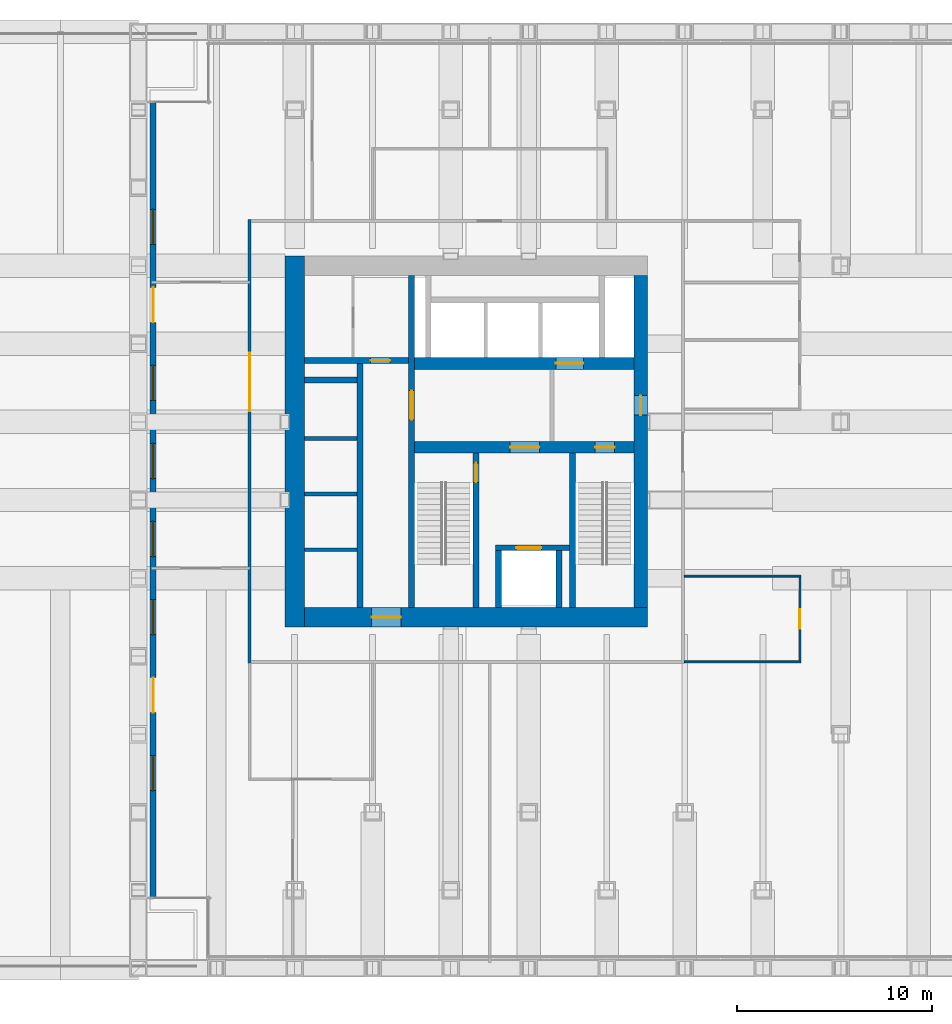
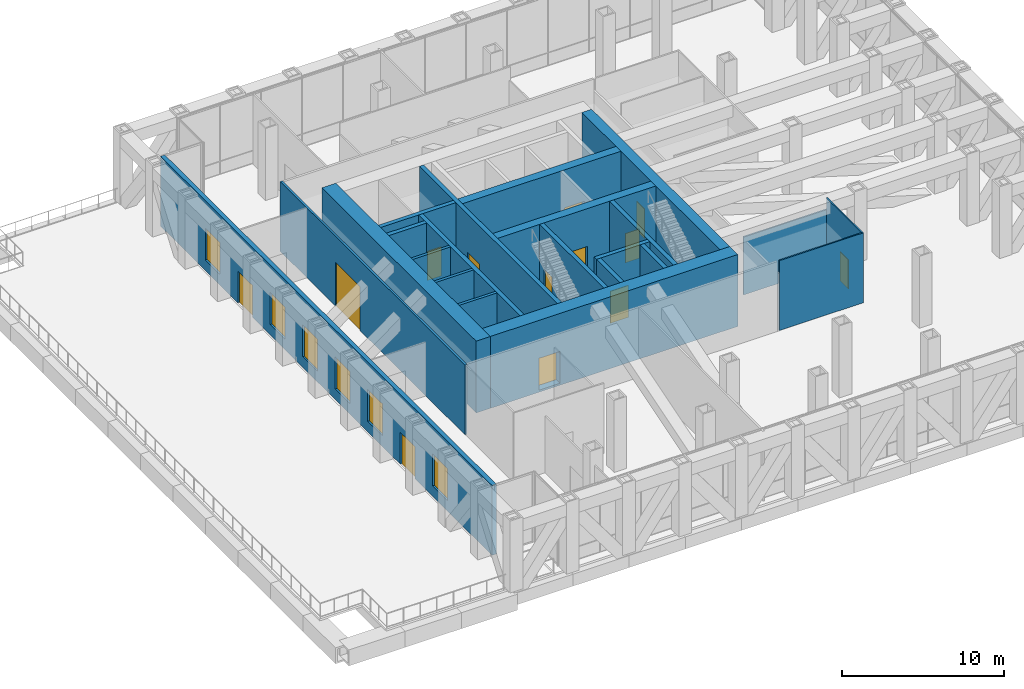
# One storey, part 12 of 14: 22 walls, 13 doors, 6 windows, 19 openings.
"""IFC4 building model written with IfcOpenShell, lengths in metres."""

from ifc_helpers import new_model, si_unit, direction, frame, frame_2d, origin, place, context, subcontext, project, spatial, rectangle, extrude, material, layer, layer_set, type_object, element, fill, save


model = new_model("IFC4")

# Units and contexts
model_context = context("Model", 3, precision=1e-05, world=origin(), true_north=direction((0.0, 1.0)))
body_context = subcontext(model_context, "Body", "Model", "MODEL_VIEW")
ifc_project = project(units=[si_unit("LENGTHUNIT", "METRE"), si_unit("AREAUNIT", "SQUARE_METRE"), si_unit("VOLUMEUNIT", "CUBIC_METRE"), si_unit("PLANEANGLEUNIT", "RADIAN"), si_unit("MASSUNIT", "GRAM", prefix="KILO")], contexts=[model_context])

# Site, building, storey
site_placement = place(None, origin())
site = spatial("IfcSite", under=ifc_project, at=site_placement, CompositionType="ELEMENT")
building_placement = place(site_placement, origin())
building = spatial("IfcBuilding", under=site, at=building_placement, Name="Rimbunsela Tower", CompositionType="ELEMENT")
storey_placement = place(building_placement, frame((0.0, 0.0, 71.0)))
storey = spatial("IfcBuildingStorey", under=building, at=storey_placement, Name="L17", CompositionType="ELEMENT", Elevation=71.0)

# Wall, opening, door
ifc_material_1 = material(Name="Concrete fc' 80 MPa", Category="concrete")
ifc_layer_1 = layer(ifc_material_1, 0.300048828125)
ifc_layer_set_1 = layer_set([ifc_layer_1], Name="Core internal wall 300")
wall_type_1 = type_object("IfcWallType", Name="Core internal wall 300", PredefinedType="SHEAR", material=ifc_layer_set_1)
wall_1_placement = place(storey_placement, frame((24.0, 18.5, -0.14990234375), z_axis=(0.0, 0.0, 1.0), x_axis=(0.0, 1.0, 0.0)))
wall_1 = element("IfcWall", 1, at=wall_1_placement, inside=storey, type_object=wall_type_1, Name="Core wall at stair A", PredefinedType="SHEAR", context=body_context, shape_type="SweptSolid", body=[
    extrude(rectangle(XDim=17.0, YDim=0.300048828125, at=frame_2d((8.5, 0.0))), origin(), (0.0, 0.0, 1.0), 5.39990234375),
])
opening_1_placement = place(wall_1_placement, frame((9.60009765625, 0.0, 0.14990234375)))
opening_1 = element("IfcOpeningElement", 2, at=opening_1_placement, cuts=wall_1, Name="Opening D03", PredefinedType="OPENING", context=body_context, shape_type="SweptSolid", body=[
    extrude(rectangle(XDim=1.5, YDim=2.39990234375, at=frame_2d((0.75, 1.199951171875))), frame((0.0, 0.159912109375, 0.0), z_axis=(0.0, -1.0, 0.0), x_axis=(1.0, 0.0, 0.0)), (0.0, 0.0, 1.0), 0.320068359375),
])
ifc_material_2 = material(Name="Steel door, fire rated", Category="steel")
door_type_1 = type_object("IfcDoorType", Name="Core lobby door 1500", OperationType="DOUBLE_DOOR_DOUBLE_SWING", PredefinedType="DOOR", material=ifc_material_2)
door_1_placement = place(opening_1_placement, origin())
door_1 = element("IfcDoor", 3, at=door_1_placement, inside=storey, type_object=door_type_1, Name="West lobby door", OperationType="DOUBLE_DOOR_DOUBLE_SWING", OverallHeight=2.39990234375, OverallWidth=1.5, PredefinedType="DOOR", context=body_context, shape_type="SweptSolid", body=[
    extrude(rectangle(XDim=1.5, YDim=2.39990234375, at=frame_2d((0.75, 1.199951171875))), frame((0.0, 0.02490234375, 0.0), z_axis=(0.0, -1.0, 0.0), x_axis=(1.0, 0.0, 0.0)), (0.0, 0.0, 1.0), 0.050048828125),
])
fill(opening_1, door_1)

wall_2_placement = place(storey_placement, frame((27.300048828125, 18.5, -0.14990234375), z_axis=(0.0, 0.0, 1.0), x_axis=(0.0, 1.0, 0.0)))
wall_2 = element("IfcWall", 4, at=wall_2_placement, inside=storey, type_object=wall_type_1, Name="Stair A enclosure", PredefinedType="SHEAR", context=body_context, shape_type="SweptSolid", body=[
    extrude(rectangle(XDim=7.89990234375, YDim=0.300048828125, at=frame_2d((3.949951171875, 0.0))), origin(), (0.0, 0.0, 1.0), 5.39990234375),
])
opening_2_placement = place(wall_2_placement, frame((6.39990234375, 0.0, 0.14990234375)))
opening_2 = element("IfcOpeningElement", 5, at=opening_2_placement, cuts=wall_2, Name="Opening D01", PredefinedType="OPENING", context=body_context, shape_type="SweptSolid", body=[
    extrude(rectangle(XDim=1.0, YDim=2.199951171875, at=frame_2d((0.5, 1.10009765625))), frame((0.0, 0.159912109375, 0.0), z_axis=(0.0, -1.0, 0.0), x_axis=(1.0, 0.0, 0.0)), (0.0, 0.0, 1.0), 0.320068359375),
])
ifc_material_3 = material(Name="Steel door, fire rated", Category="steel")
door_type_2 = type_object("IfcDoorType", Name="Stair door 1000", OperationType="SINGLE_SWING_RIGHT", PredefinedType="DOOR", material=ifc_material_3)
door_2_placement = place(opening_2_placement, origin())
door_2 = element("IfcDoor", 6, at=door_2_placement, inside=storey, type_object=door_type_2, Name="Stair A door", OperationType="SINGLE_SWING_RIGHT", OverallHeight=2.199951171875, OverallWidth=1.0, PredefinedType="DOOR", context=body_context, shape_type="SweptSolid", body=[
    extrude(rectangle(XDim=1.0, YDim=2.199951171875, at=frame_2d((0.5, 1.10009765625))), frame((0.0, 0.02490234375, 0.0), z_axis=(0.0, -1.0, 0.0), x_axis=(1.0, 0.0, 0.0)), (0.0, 0.0, 1.0), 0.050048828125),
])
fill(opening_2, door_2)

# Walls
wall_3_placement = place(storey_placement, frame((32.25, 18.5, -0.14990234375), z_axis=(0.0, 0.0, 1.0), x_axis=(0.0, 1.0, 0.0)))
element("IfcWall", 7, at=wall_3_placement, inside=storey, type_object=wall_type_1, Name="Stair B enclosure", PredefinedType="SHEAR", context=body_context, shape_type="SweptSolid", body=[
    extrude(rectangle(XDim=7.89990234375, YDim=0.300048828125, at=frame_2d((3.949951171875, 0.0))), origin(), (0.0, 0.0, 1.0), 5.39990234375),
])
for number, where, z_axis, x_axis, name in (
    (8, (28.449951171875, 18.5, -0.14990234375), (0.0, 0.0, 1.0), (0.0, 1.0, 0.0), "Firefighting lift shaft west"),
    (9, (31.550048828125, 18.5, -0.14990234375), (0.0, 0.0, 1.0), (0.0, 1.0, 0.0), "Firefighting lift shaft east"),
):
    element("IfcWall", number, at=place(storey_placement, frame(where, z_axis=z_axis, x_axis=x_axis)), inside=storey, type_object=wall_type_1, Name=name, PredefinedType="SHEAR", context=body_context, shape_type="SweptSolid", body=[
        extrude(rectangle(XDim=2.89990234375, YDim=0.300048828125, at=frame_2d((1.449951171875, 0.0))), origin(), (0.0, 0.0, 1.0), 5.39990234375),
    ])

# Wall, opening, door
wall_4_placement = place(storey_placement, frame((28.300048828125, 21.550048828125, -0.14990234375), z_axis=(0.0, 0.0, 1.0), x_axis=(1.0, 0.0, 0.0)))
wall_4 = element("IfcWall", 10, at=wall_4_placement, inside=storey, type_object=wall_type_1, Name="Firefighting lift shaft front", PredefinedType="SHEAR", context=body_context, shape_type="SweptSolid", body=[
    extrude(rectangle(XDim=3.800048828125, YDim=0.300048828125, at=frame_2d((1.89990234375, 0.0))), origin(), (0.0, 0.0, 1.0), 5.39990234375),
])
opening_3_placement = place(wall_4_placement, frame((1.050048828125, 0.0, 0.14990234375)))
opening_3 = element("IfcOpeningElement", 11, at=opening_3_placement, cuts=wall_4, Name="Opening LD2", PredefinedType="OPENING", context=body_context, shape_type="SweptSolid", body=[
    extrude(rectangle(XDim=1.300048828125, YDim=2.39990234375, at=frame_2d((0.64990234375, 1.199951171875))), frame((0.0, 0.159912109375, 0.0), z_axis=(0.0, -1.0, 0.0), x_axis=(1.0, 0.0, 0.0)), (0.0, 0.0, 1.0), 0.320068359375),
])
ifc_material_4 = material(Name="Steel door, fire rated", Category="steel")
door_type_3 = type_object("IfcDoorType", Name="Lift landing door 1300", OperationType="DOUBLE_DOOR_SLIDING", PredefinedType="DOOR", material=ifc_material_4)
door_3_placement = place(opening_3_placement, origin())
door_3 = element("IfcDoor", 12, at=door_3_placement, inside=storey, type_object=door_type_3, Name="Lift landing door FL1", OperationType="DOUBLE_DOOR_SLIDING", OverallHeight=2.39990234375, OverallWidth=1.300048828125, PredefinedType="DOOR", context=body_context, shape_type="SweptSolid", body=[
    extrude(rectangle(XDim=1.300048828125, YDim=2.39990234375, at=frame_2d((0.64990234375, 1.199951171875))), frame((0.0, 0.02490234375, 0.0), z_axis=(0.0, -1.0, 0.0), x_axis=(1.0, 0.0, 0.0)), (0.0, 0.0, 1.0), 0.050048828125),
])
fill(opening_3, door_3)

# Wall
wall_5_placement = place(storey_placement, frame((21.35009765625, 18.5, -0.14990234375), z_axis=(0.0, 0.0, 1.0), x_axis=(0.0, 1.0, 0.0)))
element("IfcWall", 13, at=wall_5_placement, inside=storey, type_object=wall_type_1, Name="Lift shaft front west", PredefinedType="SHEAR", context=body_context, shape_type="SweptSolid", body=[
    extrude(rectangle(XDim=12.5, YDim=0.300048828125, at=frame_2d((6.25, 0.0))), origin(), (0.0, 0.0, 1.0), 5.39990234375),
])

# Wall, opening, door
wall_6_placement = place(storey_placement, frame((18.5, 31.14990234375, -0.14990234375), z_axis=(0.0, 0.0, 1.0), x_axis=(1.0, 0.0, 0.0)))
wall_6 = element("IfcWall", 14, at=wall_6_placement, inside=storey, type_object=wall_type_1, Name="Store wall", PredefinedType="SHEAR", context=body_context, shape_type="SweptSolid", body=[
    extrude(rectangle(XDim=5.35009765625, YDim=0.300048828125, at=frame_2d((2.675048828125, 0.0))), origin(), (0.0, 0.0, 1.0), 5.39990234375),
])
opening_4_placement = place(wall_6_placement, frame((3.39990234375, 0.0, 0.14990234375)))
opening_4 = element("IfcOpeningElement", 15, at=opening_4_placement, cuts=wall_6, Name="Opening D19", PredefinedType="OPENING", context=body_context, shape_type="SweptSolid", body=[
    extrude(rectangle(XDim=1.0, YDim=2.199951171875, at=frame_2d((0.5, 1.10009765625))), frame((0.0, 0.159912109375, 0.0), z_axis=(0.0, -1.0, 0.0), x_axis=(1.0, 0.0, 0.0)), (0.0, 0.0, 1.0), 0.320068359375),
])
ifc_material_5 = material(Name="Steel door, fire rated", Category="steel")
door_type_4 = type_object("IfcDoorType", Name="Service door 1000 fire rated", OperationType="SINGLE_SWING_LEFT", PredefinedType="DOOR", material=ifc_material_5)
door_4_placement = place(opening_4_placement, origin())
door_4 = element("IfcDoor", 16, at=door_4_placement, inside=storey, type_object=door_type_4, Name="IT room door", OperationType="SINGLE_SWING_LEFT", OverallHeight=2.199951171875, OverallWidth=1.0, PredefinedType="DOOR", context=body_context, shape_type="SweptSolid", body=[
    extrude(rectangle(XDim=1.0, YDim=2.199951171875, at=frame_2d((0.5, 1.10009765625))), frame((0.0, 0.02490234375, 0.0), z_axis=(0.0, -1.0, 0.0), x_axis=(1.0, 0.0, 0.0)), (0.0, 0.0, 1.0), 0.050048828125),
])
fill(opening_4, door_4)

# Wall
wall_7_placement = place(storey_placement, frame((18.5, 30.14990234375, -0.14990234375), z_axis=(0.0, 0.0, 1.0), x_axis=(1.0, 0.0, 0.0)))
element("IfcWall", 17, at=wall_7_placement, inside=storey, type_object=wall_type_1, Name="Lift shaft rear west", PredefinedType="SHEAR", context=body_context, shape_type="SweptSolid", body=[
    extrude(rectangle(XDim=2.699951171875, YDim=0.300048828125, at=frame_2d((1.35009765625, 0.0))), origin(), (0.0, 0.0, 1.0), 5.39990234375),
])

# Wall, openings, doors
ifc_material_6 = material(Name="Concrete fc' 80 MPa", Category="concrete")
ifc_layer_2 = layer(ifc_material_6, 0.60009765625)
ifc_layer_set_2 = layer_set([ifc_layer_2], Name="Core internal wall 600")
wall_type_2 = type_object("IfcWallType", Name="Core internal wall 600", PredefinedType="SHEAR", material=ifc_layer_set_2)
wall_8_placement = place(storey_placement, frame((24.14990234375, 26.699951171875, -0.14990234375), z_axis=(0.0, 0.0, 1.0), x_axis=(1.0, 0.0, 0.0)))
wall_8 = element("IfcWall", 18, at=wall_8_placement, inside=storey, type_object=wall_type_2, Name="Core wall lobby south", PredefinedType="SHEAR", context=body_context, shape_type="SweptSolid", body=[
    extrude(rectangle(XDim=11.25, YDim=0.60009765625, at=frame_2d((5.625, 0.0))), origin(), (0.0, 0.0, 1.0), 5.39990234375),
])
opening_5_placement = place(wall_8_placement, frame((9.25, 0.0, 0.14990234375)))
opening_5 = element("IfcOpeningElement", 19, at=opening_5_placement, cuts=wall_8, Name="Opening D01", PredefinedType="OPENING", context=body_context, shape_type="SweptSolid", body=[
    extrude(rectangle(XDim=1.0, YDim=2.199951171875, at=frame_2d((0.5, 1.10009765625))), frame((0.0, 0.31005859375, 0.0), z_axis=(0.0, -1.0, 0.0), x_axis=(1.0, 0.0, 0.0)), (0.0, 0.0, 1.0), 0.6201171875),
])
opening_6_placement = place(wall_8_placement, frame((4.89990234375, 0.0, 0.14990234375)))
opening_6 = element("IfcOpeningElement", 20, at=opening_6_placement, cuts=wall_8, Name="Opening D03", PredefinedType="OPENING", context=body_context, shape_type="SweptSolid", body=[
    extrude(rectangle(XDim=1.5, YDim=2.39990234375, at=frame_2d((0.75, 1.199951171875))), frame((0.0, 0.31005859375, 0.0), z_axis=(0.0, -1.0, 0.0), x_axis=(1.0, 0.0, 0.0)), (0.0, 0.0, 1.0), 0.6201171875),
])
door_5_placement = place(opening_6_placement, origin())
door_5 = element("IfcDoor", 21, at=door_5_placement, inside=storey, type_object=door_type_1, Name="Firefighting lobby door", OperationType="DOUBLE_DOOR_DOUBLE_SWING", OverallHeight=2.39990234375, OverallWidth=1.5, PredefinedType="DOOR", context=body_context, shape_type="SweptSolid", body=[
    extrude(rectangle(XDim=1.5, YDim=2.39990234375, at=frame_2d((0.75, 1.199951171875))), frame((0.0, 0.02490234375, 0.0), z_axis=(0.0, -1.0, 0.0), x_axis=(1.0, 0.0, 0.0)), (0.0, 0.0, 1.0), 0.050048828125),
])
fill(opening_6, door_5)
door_6_placement = place(opening_5_placement, frame((1.0, 0.0, 0.0), z_axis=(0.0, 0.0, 1.0), x_axis=(-1.0, 0.0, 0.0)))
door_6 = element("IfcDoor", 22, at=door_6_placement, inside=storey, type_object=door_type_2, Name="Stair B door", OperationType="SINGLE_SWING_RIGHT", OverallHeight=2.199951171875, OverallWidth=1.0, PredefinedType="DOOR", context=body_context, shape_type="SweptSolid", body=[
    extrude(rectangle(XDim=1.0, YDim=2.199951171875, at=frame_2d((0.5, 1.10009765625))), frame((0.0, 0.02490234375, 0.0), z_axis=(0.0, -1.0, 0.0), x_axis=(1.0, 0.0, 0.0)), (0.0, 0.0, 1.0), 0.050048828125),
])
fill(opening_5, door_6)

# Wall, opening, door
wall_9_placement = place(storey_placement, frame((24.14990234375, 31.0, -0.14990234375), z_axis=(0.0, 0.0, 1.0), x_axis=(1.0, 0.0, 0.0)))
wall_9 = element("IfcWall", 23, at=wall_9_placement, inside=storey, type_object=wall_type_2, Name="Lift shaft front north", PredefinedType="SHEAR", context=body_context, shape_type="SweptSolid", body=[
    extrude(rectangle(XDim=11.25, YDim=0.60009765625, at=frame_2d((5.625, 0.0))), origin(), (0.0, 0.0, 1.0), 5.39990234375),
])
opening_7_placement = place(wall_9_placement, frame((7.25, 0.0, 0.14990234375)))
opening_7 = element("IfcOpeningElement", 24, at=opening_7_placement, cuts=wall_9, Name="Opening LD3", PredefinedType="OPENING", context=body_context, shape_type="SweptSolid", body=[
    extrude(rectangle(XDim=1.39990234375, YDim=2.39990234375, at=frame_2d((0.699951171875, 1.199951171875))), frame((0.0, 0.31005859375, 0.0), z_axis=(0.0, -1.0, 0.0), x_axis=(1.0, 0.0, 0.0)), (0.0, 0.0, 1.0), 0.6201171875),
])
ifc_material_7 = material(Name="Steel door, fire rated", Category="steel")
door_type_5 = type_object("IfcDoorType", Name="Lift landing door 1400", OperationType="DOUBLE_DOOR_SLIDING", PredefinedType="DOOR", material=ifc_material_7)
door_7_placement = place(opening_7_placement, origin())
door_7 = element("IfcDoor", 25, at=door_7_placement, inside=storey, type_object=door_type_5, Name="Lift landing door FL2", OperationType="DOUBLE_DOOR_SLIDING", OverallHeight=2.39990234375, OverallWidth=1.39990234375, PredefinedType="DOOR", context=body_context, shape_type="SweptSolid", body=[
    extrude(rectangle(XDim=1.39990234375, YDim=2.39990234375, at=frame_2d((0.699951171875, 1.199951171875))), frame((0.0, 0.02490234375, 0.0), z_axis=(0.0, -1.0, 0.0), x_axis=(1.0, 0.0, 0.0)), (0.0, 0.0, 1.0), 0.050048828125),
])
fill(opening_7, door_7)

# Wall
ifc_material_8 = material(Name="Concrete fc' 80 MPa", Category="concrete")
ifc_layer_3 = layer(ifc_material_8, 1.0)
ifc_layer_set_3 = layer_set([ifc_layer_3], Name="Core wall 1000")
wall_type_3 = type_object("IfcWallType", Name="Core wall 1000", PredefinedType="SHEAR", material=ifc_layer_set_3)
wall_10_placement = place(storey_placement, frame((18.0, 17.5, -0.14990234375), z_axis=(0.0, 0.0, 1.0), x_axis=(0.0, 1.0, 0.0)))
element("IfcWall", 26, at=wall_10_placement, inside=storey, type_object=wall_type_3, Name="Core wall west", PredefinedType="SHEAR", context=body_context, shape_type="SweptSolid", body=[
    extrude(rectangle(XDim=19.0, YDim=1.0, at=frame_2d((9.5, 0.0))), origin(), (0.0, 0.0, 1.0), 5.39990234375),
])

# Wall, opening, door
wall_11_placement = place(storey_placement, frame((18.5, 18.0, -0.14990234375), z_axis=(0.0, 0.0, 1.0), x_axis=(1.0, 0.0, 0.0)))
wall_11 = element("IfcWall", 27, at=wall_11_placement, inside=storey, type_object=wall_type_3, Name="Core wall south", PredefinedType="SHEAR", context=body_context, shape_type="SweptSolid", body=[
    extrude(rectangle(XDim=17.60009765625, YDim=1.0, at=frame_2d((8.800048828125, 0.0))), origin(), (0.0, 0.0, 1.0), 5.39990234375),
])
opening_8_placement = place(wall_11_placement, frame((3.449951171875, 0.0, 0.14990234375)))
opening_8 = element("IfcOpeningElement", 28, at=opening_8_placement, cuts=wall_11, Name="Opening D03", PredefinedType="OPENING", context=body_context, shape_type="SweptSolid", body=[
    extrude(rectangle(XDim=1.5, YDim=2.39990234375, at=frame_2d((0.75, 1.199951171875))), frame((0.0, 0.510009765625, 0.0), z_axis=(0.0, -1.0, 0.0), x_axis=(1.0, 0.0, 0.0)), (0.0, 0.0, 1.0), 1.02001953125),
])
door_8_placement = place(opening_8_placement, origin())
door_8 = element("IfcDoor", 29, at=door_8_placement, inside=storey, type_object=door_type_1, Name="Core door south", OperationType="DOUBLE_DOOR_DOUBLE_SWING", OverallHeight=2.39990234375, OverallWidth=1.5, PredefinedType="DOOR", context=body_context, shape_type="SweptSolid", body=[
    extrude(rectangle(XDim=1.5, YDim=2.39990234375, at=frame_2d((0.75, 1.199951171875))), frame((0.0, 0.02490234375, 0.0), z_axis=(0.0, -1.0, 0.0), x_axis=(1.0, 0.0, 0.0)), (0.0, 0.0, 1.0), 0.050048828125),
])
fill(opening_8, door_8)

ifc_material_9 = material(Name="Concrete fc' 80 MPa", Category="concrete")
ifc_layer_4 = layer(ifc_material_9, 0.699951171875)
ifc_layer_set_4 = layer_set([ifc_layer_4], Name="Core wall 700 east")
wall_type_4 = type_object("IfcWallType", Name="Core wall 700 east", PredefinedType="SHEAR", material=ifc_layer_set_4)
wall_12_placement = place(storey_placement, frame((35.75, 18.5, -0.14990234375), z_axis=(0.0, 0.0, 1.0), x_axis=(0.0, 1.0, 0.0)))
wall_12 = element("IfcWall", 30, at=wall_12_placement, inside=storey, type_object=wall_type_4, Name="Core wall east", PredefinedType="SHEAR", context=body_context, shape_type="SweptSolid", body=[
    extrude(rectangle(XDim=17.0, YDim=0.699951171875, at=frame_2d((8.5, 0.0))), origin(), (0.0, 0.0, 1.0), 5.39990234375),
])
opening_9_placement = place(wall_12_placement, frame((9.85009765625, 0.0, 0.14990234375)))
opening_9 = element("IfcOpeningElement", 31, at=opening_9_placement, cuts=wall_12, Name="Opening D01", PredefinedType="OPENING", context=body_context, shape_type="SweptSolid", body=[
    extrude(rectangle(XDim=1.0, YDim=2.199951171875, at=frame_2d((0.5, 1.10009765625))), frame((0.0, 0.35986328125, 0.0), z_axis=(0.0, -1.0, 0.0), x_axis=(1.0, 0.0, 0.0)), (0.0, 0.0, 1.0), 0.719970703125),
])
door_9_placement = place(opening_9_placement, origin())
door_9 = element("IfcDoor", 32, at=door_9_placement, inside=storey, type_object=door_type_2, Name="Firefighting lobby 2 door", OperationType="SINGLE_SWING_RIGHT", OverallHeight=2.199951171875, OverallWidth=1.0, PredefinedType="DOOR", context=body_context, shape_type="SweptSolid", body=[
    extrude(rectangle(XDim=1.0, YDim=2.199951171875, at=frame_2d((0.5, 1.10009765625))), frame((0.0, 0.02490234375, 0.0), z_axis=(0.0, -1.0, 0.0), x_axis=(1.0, 0.0, 0.0)), (0.0, 0.0, 1.0), 0.050048828125),
])
fill(opening_9, door_9)

# Walls
ifc_material_10 = material(Name="Concrete blockwork", Category="masonry")
ifc_layer_5 = layer(ifc_material_10, 0.199951171875)
ifc_layer_set_5 = layer_set([ifc_layer_5], Name="Lift shaft wall 200")
wall_type_5 = type_object("IfcWallType", Name="Lift shaft wall 200", PredefinedType="SOLIDWALL", material=ifc_layer_set_5)
for number, where, z_axis, x_axis, name in (
    (33, (18.5, 21.449951171875, 0.0), (0.0, 0.0, 1.0), (1.0, 0.0, 0.0), "Lift shaft separation"),
    (34, (18.5, 24.300048828125, 0.0), (0.0, 0.0, 1.0), (1.0, 0.0, 0.0), "Lift shaft separation"),
    (35, (18.5, 27.14990234375, 0.0), (0.0, 0.0, 1.0), (1.0, 0.0, 0.0), "Lift shaft separation"),
):
    element("IfcWall", number, at=place(storey_placement, frame(where, z_axis=z_axis, x_axis=x_axis)), inside=storey, type_object=wall_type_5, Name=name, PredefinedType="SOLIDWALL", context=body_context, shape_type="SweptSolid", body=[
        extrude(rectangle(XDim=2.699951171875, YDim=0.199951171875, at=frame_2d((1.35009765625, 0.0))), origin(), (0.0, 0.0, 1.0), 5.25),
    ])
ifc_material_11 = material(Name="Gypsum board on steel studs", Category="steel")
ifc_layer_6 = layer(ifc_material_11, 0.10009765625)
ifc_layer_set_6 = layer_set([ifc_layer_6], Name="Office partition 100")
wall_type_6 = type_object("IfcWallType", Name="Office partition 100", PredefinedType="PARTITIONING", material=ifc_layer_set_6)
wall_13_placement = place(storey_placement, frame((37.97509765625, 15.699951171875, 0.0), z_axis=(0.0, 0.0, 1.0), x_axis=(1.0, 0.0, 0.0)))
element("IfcWall", 36, at=wall_13_placement, inside=storey, type_object=wall_type_6, Name="Office partition", PredefinedType="PARTITIONING", context=body_context, shape_type="SweptSolid", body=[
    extrude(rectangle(XDim=5.974853515625, YDim=0.10009765625, at=frame_2d((2.9873046875, 0.0))), origin(), (0.0, 0.0, 1.0), 5.25),
])
wall_14_placement = place(storey_placement, frame((37.97509765625, 20.10009765625, 0.0), z_axis=(0.0, 0.0, 1.0), x_axis=(1.0, 0.0, 0.0)))
element("IfcWall", 37, at=wall_14_placement, inside=storey, type_object=wall_type_6, Name="Office partition", PredefinedType="PARTITIONING", context=body_context, shape_type="SweptSolid", body=[
    extrude(rectangle(XDim=5.974853515625, YDim=0.10009765625, at=frame_2d((2.9873046875, 0.0))), origin(), (0.0, 0.0, 1.0), 4.35009765625),
])

# Wall, opening, door
wall_15_placement = place(storey_placement, frame((43.89990234375, 15.75, 0.0), z_axis=(0.0, 0.0, 1.0), x_axis=(0.0, 1.0, 0.0)))
wall_15 = element("IfcWall", 38, at=wall_15_placement, inside=storey, type_object=wall_type_6, Name="Office partition", PredefinedType="PARTITIONING", context=body_context, shape_type="SweptSolid", body=[
    extrude(rectangle(XDim=4.300048828125, YDim=0.10009765625, at=frame_2d((2.14990234375, 0.0))), origin(), (0.0, 0.0, 1.0), 5.25),
])
opening_10_placement = place(wall_15_placement, frame((1.64990234375, 0.0, 0.0)))
opening_10 = element("IfcOpeningElement", 39, at=opening_10_placement, cuts=wall_15, Name="Opening D16", PredefinedType="OPENING", context=body_context, shape_type="SweptSolid", body=[
    extrude(rectangle(XDim=1.0, YDim=2.199951171875, at=frame_2d((0.5, 1.10009765625))), frame((0.0, 0.06005859375, 0.0), z_axis=(0.0, -1.0, 0.0), x_axis=(1.0, 0.0, 0.0)), (0.0, 0.0, 1.0), 0.1201171875),
])
ifc_material_12 = material(Name="Timber door", Category="wood")
door_type_6 = type_object("IfcDoorType", Name="Office door 1000", OperationType="SINGLE_SWING_LEFT", PredefinedType="DOOR", material=ifc_material_12)
door_10_placement = place(opening_10_placement, origin())
door_10 = element("IfcDoor", 40, at=door_10_placement, inside=storey, type_object=door_type_6, Name="Office door", OperationType="SINGLE_SWING_LEFT", OverallHeight=2.199951171875, OverallWidth=1.0, PredefinedType="DOOR", context=body_context, shape_type="SweptSolid", body=[
    extrude(rectangle(XDim=1.0, YDim=2.199951171875, at=frame_2d((0.5, 1.10009765625))), frame((0.0, 0.02490234375, 0.0), z_axis=(0.0, -1.0, 0.0), x_axis=(1.0, 0.0, 0.0)), (0.0, 0.0, 1.0), 0.050048828125),
])
fill(opening_10, door_10)

ifc_material_13 = material(Name="Fire-rated gypsum board on steel studs, EI 60", Category="steel")
ifc_layer_7 = layer(ifc_material_13, 0.14990234375)
ifc_layer_set_7 = layer_set([ifc_layer_7], Name="Rated corridor wall 150")
wall_type_7 = type_object("IfcWallType", Name="Rated corridor wall 150", PredefinedType="PARTITIONING", material=ifc_layer_set_7)
wall_16_placement = place(storey_placement, frame((15.699951171875, 15.625, 0.0), z_axis=(0.0, 0.0, 1.0), x_axis=(0.0, 1.0, 0.0)))
wall_16 = element("IfcWall", 41, at=wall_16_placement, inside=storey, type_object=wall_type_7, Name="Corridor wall west", PredefinedType="PARTITIONING", context=body_context, shape_type="SweptSolid", body=[
    extrude(rectangle(XDim=22.75, YDim=0.14990234375, at=frame_2d((11.375, 0.0))), origin(), (0.0, 0.0, 1.0), 5.25),
])
opening_11_placement = place(wall_16_placement, frame((12.925048828125, 0.0, 0.0)))
opening_11 = element("IfcOpeningElement", 42, at=opening_11_placement, cuts=wall_16, Name="Opening D11", PredefinedType="OPENING", context=body_context, shape_type="SweptSolid", body=[
    extrude(rectangle(XDim=3.0, YDim=3.300048828125, at=frame_2d((1.5, 1.64990234375))), frame((0.0, 0.0849609375, 0.0), z_axis=(0.0, -1.0, 0.0), x_axis=(1.0, 0.0, 0.0)), (0.0, 0.0, 1.0), 0.169921875),
])
ifc_material_14 = material(Name="Steel door, fire rated", Category="steel")
door_type_7 = type_object("IfcDoorType", Name="Plant equipment door 3000", OperationType="DOUBLE_DOOR_DOUBLE_SWING", PredefinedType="DOOR", material=ifc_material_14)
door_11_placement = place(opening_11_placement, origin())
door_11 = element("IfcDoor", 43, at=door_11_placement, inside=storey, type_object=door_type_7, Name="Plant room door", OperationType="DOUBLE_DOOR_DOUBLE_SWING", OverallHeight=3.300048828125, OverallWidth=3.0, PredefinedType="DOOR", context=body_context, shape_type="SweptSolid", body=[
    extrude(rectangle(XDim=3.0, YDim=3.300048828125, at=frame_2d((1.5, 1.64990234375))), frame((0.0, 0.02490234375, 0.0), z_axis=(0.0, -1.0, 0.0), x_axis=(1.0, 0.0, 0.0)), (0.0, 0.0, 1.0), 0.050048828125),
])
fill(opening_11, door_11)

# Wall, openings, doors, windows
ifc_material_15 = material(Name="Precast concrete fc' 35 MPa", Category="concrete")
ifc_layer_8 = layer(ifc_material_15, 0.300048828125)
ifc_layer_set_8 = layer_set([ifc_layer_8], Name="Terrace wall 300")
wall_type_8 = type_object("IfcWallType", Name="Terrace wall 300", PredefinedType="ELEMENTEDWALL", material=ifc_layer_set_8)
wall_17_placement = place(storey_placement, frame((10.75, 44.39990234375, 0.0), z_axis=(0.0, 0.0, 1.0), x_axis=(0.0, -1.0, 0.0)))
wall_17 = element("IfcWall", 44, at=wall_17_placement, inside=storey, type_object=wall_type_8, Name="Terrace wall W L17", PredefinedType="ELEMENTEDWALL", context=body_context, shape_type="SweptSolid", body=[
    extrude(rectangle(XDim=40.7998046875, YDim=0.300048828125, at=frame_2d((20.39990234375, 0.0))), origin(), (0.0, 0.0, 1.0), 5.25),
])
opening_12_placement = place(wall_17_placement, frame((33.5, 0.0, 0.800048828125)))
opening_12 = element("IfcOpeningElement", 45, at=opening_12_placement, cuts=wall_17, Name="Opening W3", PredefinedType="OPENING", context=body_context, shape_type="SweptSolid", body=[
    extrude(rectangle(XDim=1.800048828125, YDim=2.39990234375, at=frame_2d((0.89990234375, 1.199951171875))), frame((0.0, 0.159912109375, 0.0), z_axis=(0.0, -1.0, 0.0), x_axis=(1.0, 0.0, 0.0)), (0.0, 0.0, 1.0), 0.320068359375),
])
opening_13_placement = place(wall_17_placement, frame((29.5, 0.0, 0.0)))
opening_13 = element("IfcOpeningElement", 46, at=opening_13_placement, cuts=wall_17, Name="Opening TD2", PredefinedType="OPENING", context=body_context, shape_type="SweptSolid", body=[
    extrude(rectangle(XDim=1.800048828125, YDim=2.39990234375, at=frame_2d((0.89990234375, 1.199951171875))), frame((0.0, 0.159912109375, 0.0), z_axis=(0.0, -1.0, 0.0), x_axis=(1.0, 0.0, 0.0)), (0.0, 0.0, 1.0), 0.320068359375),
])
opening_14_placement = place(wall_17_placement, frame((25.5, 0.0, 0.800048828125)))
opening_14 = element("IfcOpeningElement", 47, at=opening_14_placement, cuts=wall_17, Name="Opening W3", PredefinedType="OPENING", context=body_context, shape_type="SweptSolid", body=[
    extrude(rectangle(XDim=1.800048828125, YDim=2.39990234375, at=frame_2d((0.89990234375, 1.199951171875))), frame((0.0, 0.159912109375, 0.0), z_axis=(0.0, -1.0, 0.0), x_axis=(1.0, 0.0, 0.0)), (0.0, 0.0, 1.0), 0.320068359375),
])
opening_15_placement = place(wall_17_placement, frame((21.5, 0.0, 0.800048828125)))
opening_15 = element("IfcOpeningElement", 48, at=opening_15_placement, cuts=wall_17, Name="Opening W3", PredefinedType="OPENING", context=body_context, shape_type="SweptSolid", body=[
    extrude(rectangle(XDim=1.800048828125, YDim=2.39990234375, at=frame_2d((0.89990234375, 1.199951171875))), frame((0.0, 0.159912109375, 0.0), z_axis=(0.0, -1.0, 0.0), x_axis=(1.0, 0.0, 0.0)), (0.0, 0.0, 1.0), 0.320068359375),
])
opening_16_placement = place(wall_17_placement, frame((17.5, 0.0, 0.800048828125)))
opening_16 = element("IfcOpeningElement", 49, at=opening_16_placement, cuts=wall_17, Name="Opening W3", PredefinedType="OPENING", context=body_context, shape_type="SweptSolid", body=[
    extrude(rectangle(XDim=1.800048828125, YDim=2.39990234375, at=frame_2d((0.89990234375, 1.199951171875))), frame((0.0, 0.159912109375, 0.0), z_axis=(0.0, -1.0, 0.0), x_axis=(1.0, 0.0, 0.0)), (0.0, 0.0, 1.0), 0.320068359375),
])
opening_17_placement = place(wall_17_placement, frame((13.5, 0.0, 0.800048828125)))
opening_17 = element("IfcOpeningElement", 50, at=opening_17_placement, cuts=wall_17, Name="Opening W3", PredefinedType="OPENING", context=body_context, shape_type="SweptSolid", body=[
    extrude(rectangle(XDim=1.800048828125, YDim=2.39990234375, at=frame_2d((0.89990234375, 1.199951171875))), frame((0.0, 0.159912109375, 0.0), z_axis=(0.0, -1.0, 0.0), x_axis=(1.0, 0.0, 0.0)), (0.0, 0.0, 1.0), 0.320068359375),
])
opening_18_placement = place(wall_17_placement, frame((9.5, 0.0, 0.0)))
opening_18 = element("IfcOpeningElement", 51, at=opening_18_placement, cuts=wall_17, Name="Opening TD2", PredefinedType="OPENING", context=body_context, shape_type="SweptSolid", body=[
    extrude(rectangle(XDim=1.800048828125, YDim=2.39990234375, at=frame_2d((0.89990234375, 1.199951171875))), frame((0.0, 0.159912109375, 0.0), z_axis=(0.0, -1.0, 0.0), x_axis=(1.0, 0.0, 0.0)), (0.0, 0.0, 1.0), 0.320068359375),
])
opening_19_placement = place(wall_17_placement, frame((5.5, 0.0, 0.800048828125)))
opening_19 = element("IfcOpeningElement", 52, at=opening_19_placement, cuts=wall_17, Name="Opening W3", PredefinedType="OPENING", context=body_context, shape_type="SweptSolid", body=[
    extrude(rectangle(XDim=1.800048828125, YDim=2.39990234375, at=frame_2d((0.89990234375, 1.199951171875))), frame((0.0, 0.159912109375, 0.0), z_axis=(0.0, -1.0, 0.0), x_axis=(1.0, 0.0, 0.0)), (0.0, 0.0, 1.0), 0.320068359375),
])
ifc_material_16 = material(Name="Steel door", Category="steel")
door_type_8 = type_object("IfcDoorType", Name="Maintenance access door 1800", OperationType="DOUBLE_DOOR_SINGLE_SWING", PredefinedType="DOOR", material=ifc_material_16)
door_12_placement = place(opening_13_placement, origin())
door_12 = element("IfcDoor", 53, at=door_12_placement, inside=storey, type_object=door_type_8, Name="Maintenance access door", OperationType="DOUBLE_DOOR_SINGLE_SWING", OverallHeight=2.39990234375, OverallWidth=1.800048828125, PredefinedType="DOOR", context=body_context, shape_type="SweptSolid", body=[
    extrude(rectangle(XDim=1.800048828125, YDim=2.39990234375, at=frame_2d((0.89990234375, 1.199951171875))), frame((0.0, 0.02490234375, 0.0), z_axis=(0.0, -1.0, 0.0), x_axis=(1.0, 0.0, 0.0)), (0.0, 0.0, 1.0), 0.050048828125),
])
fill(opening_13, door_12)
door_13_placement = place(opening_18_placement, origin())
door_13 = element("IfcDoor", 54, at=door_13_placement, inside=storey, type_object=door_type_8, Name="Maintenance access door", OperationType="DOUBLE_DOOR_SINGLE_SWING", OverallHeight=2.39990234375, OverallWidth=1.800048828125, PredefinedType="DOOR", context=body_context, shape_type="SweptSolid", body=[
    extrude(rectangle(XDim=1.800048828125, YDim=2.39990234375, at=frame_2d((0.89990234375, 1.199951171875))), frame((0.0, 0.02490234375, 0.0), z_axis=(0.0, -1.0, 0.0), x_axis=(1.0, 0.0, 0.0)), (0.0, 0.0, 1.0), 0.050048828125),
])
fill(opening_18, door_13)
ifc_material_17 = material(Name="Clear glass in aluminium frame", Category="aluminium")
window_type = type_object("IfcWindowType", Name="Window W3 1800x2400", PartitioningType="SINGLE_PANEL", PredefinedType="WINDOW", material=ifc_material_17)
window_1_placement = place(opening_12_placement, origin())
window_1 = element("IfcWindow", 55, at=window_1_placement, inside=storey, type_object=window_type, Name="Window L17", OverallHeight=2.39990234375, OverallWidth=1.800048828125, PartitioningType="SINGLE_PANEL", PredefinedType="WINDOW", context=body_context, shape_type="SweptSolid", body=[
    extrude(rectangle(XDim=1.800048828125, YDim=2.39990234375, at=frame_2d((0.89990234375, 1.199951171875))), frame((0.0, 0.030029296875, 0.0), z_axis=(0.0, -1.0, 0.0), x_axis=(1.0, 0.0, 0.0)), (0.0, 0.0, 1.0), 0.06005859375),
])
fill(opening_12, window_1)
window_2_placement = place(opening_14_placement, origin())
window_2 = element("IfcWindow", 56, at=window_2_placement, inside=storey, type_object=window_type, Name="Window L17", OverallHeight=2.39990234375, OverallWidth=1.800048828125, PartitioningType="SINGLE_PANEL", PredefinedType="WINDOW", context=body_context, shape_type="SweptSolid", body=[
    extrude(rectangle(XDim=1.800048828125, YDim=2.39990234375, at=frame_2d((0.89990234375, 1.199951171875))), frame((0.0, 0.030029296875, 0.0), z_axis=(0.0, -1.0, 0.0), x_axis=(1.0, 0.0, 0.0)), (0.0, 0.0, 1.0), 0.06005859375),
])
fill(opening_14, window_2)
window_3_placement = place(opening_15_placement, origin())
window_3 = element("IfcWindow", 57, at=window_3_placement, inside=storey, type_object=window_type, Name="Window L17", OverallHeight=2.39990234375, OverallWidth=1.800048828125, PartitioningType="SINGLE_PANEL", PredefinedType="WINDOW", context=body_context, shape_type="SweptSolid", body=[
    extrude(rectangle(XDim=1.800048828125, YDim=2.39990234375, at=frame_2d((0.89990234375, 1.199951171875))), frame((0.0, 0.030029296875, 0.0), z_axis=(0.0, -1.0, 0.0), x_axis=(1.0, 0.0, 0.0)), (0.0, 0.0, 1.0), 0.06005859375),
])
fill(opening_15, window_3)
window_4_placement = place(opening_16_placement, origin())
window_4 = element("IfcWindow", 58, at=window_4_placement, inside=storey, type_object=window_type, Name="Window L17", OverallHeight=2.39990234375, OverallWidth=1.800048828125, PartitioningType="SINGLE_PANEL", PredefinedType="WINDOW", context=body_context, shape_type="SweptSolid", body=[
    extrude(rectangle(XDim=1.800048828125, YDim=2.39990234375, at=frame_2d((0.89990234375, 1.199951171875))), frame((0.0, 0.030029296875, 0.0), z_axis=(0.0, -1.0, 0.0), x_axis=(1.0, 0.0, 0.0)), (0.0, 0.0, 1.0), 0.06005859375),
])
fill(opening_16, window_4)
window_5_placement = place(opening_17_placement, origin())
window_5 = element("IfcWindow", 59, at=window_5_placement, inside=storey, type_object=window_type, Name="Window L17", OverallHeight=2.39990234375, OverallWidth=1.800048828125, PartitioningType="SINGLE_PANEL", PredefinedType="WINDOW", context=body_context, shape_type="SweptSolid", body=[
    extrude(rectangle(XDim=1.800048828125, YDim=2.39990234375, at=frame_2d((0.89990234375, 1.199951171875))), frame((0.0, 0.030029296875, 0.0), z_axis=(0.0, -1.0, 0.0), x_axis=(1.0, 0.0, 0.0)), (0.0, 0.0, 1.0), 0.06005859375),
])
fill(opening_17, window_5)
window_6_placement = place(opening_19_placement, origin())
window_6 = element("IfcWindow", 60, at=window_6_placement, inside=storey, type_object=window_type, Name="Window L17", OverallHeight=2.39990234375, OverallWidth=1.800048828125, PartitioningType="SINGLE_PANEL", PredefinedType="WINDOW", context=body_context, shape_type="SweptSolid", body=[
    extrude(rectangle(XDim=1.800048828125, YDim=2.39990234375, at=frame_2d((0.89990234375, 1.199951171875))), frame((0.0, 0.030029296875, 0.0), z_axis=(0.0, -1.0, 0.0), x_axis=(1.0, 0.0, 0.0)), (0.0, 0.0, 1.0), 0.06005859375),
])
fill(opening_19, window_6)

save(model, "model.ifc")
